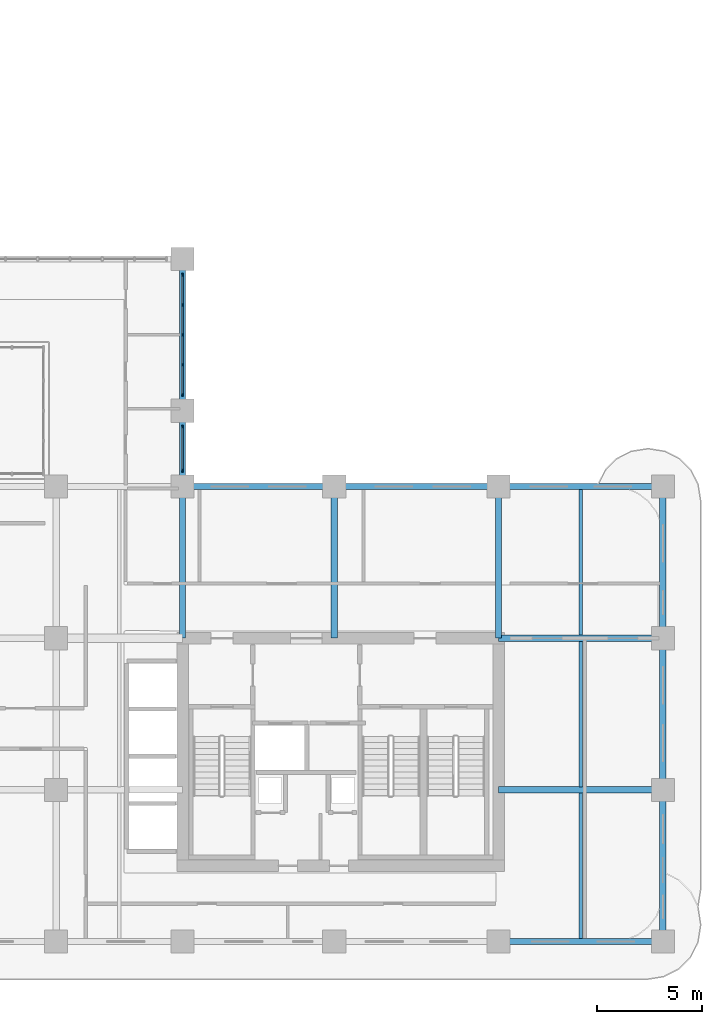
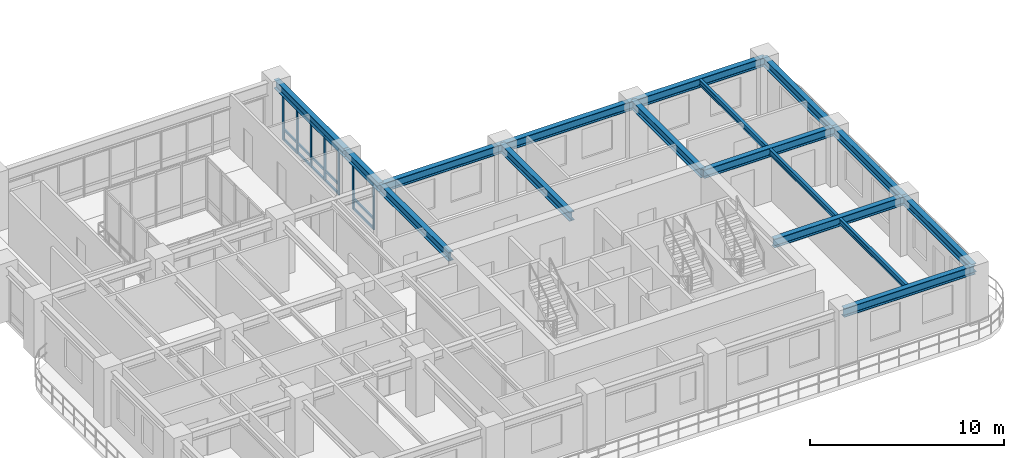
# One storey, part 4 of 19: 22 members, 17 beams, 2 elements without a shape of their own.
"""IFC4 building model written with IfcOpenShell, lengths in metres."""

from ifc_helpers import new_model, si_unit, derived_unit, direction, frame, origin, origin_2d, place, context, subcontext, project, spatial, rectangle, i_section, extrude, source, transform, mapped, material, layer, layer_set, material_profile, profile_set, type_object, type_shapes, element, aggregate, save


model = new_model("IFC4")

# Units and contexts
model_context = context("Model", 3, precision=1e-05, world=origin(), true_north=direction((0.0, 1.0)))
body_context = subcontext(model_context, "Body", "Model", "MODEL_VIEW")
ifc_project = project(units=[si_unit("LENGTHUNIT", "METRE"), si_unit("AREAUNIT", "SQUARE_METRE"), si_unit("VOLUMEUNIT", "CUBIC_METRE"), si_unit("PLANEANGLEUNIT", "RADIAN"), si_unit("MASSUNIT", "GRAM", prefix="KILO"), si_unit("THERMODYNAMICTEMPERATUREUNIT", "KELVIN"), si_unit("POWERUNIT", "WATT"), derived_unit("THERMALTRANSMITTANCEUNIT", [(si_unit("POWERUNIT", "WATT"), 1), (si_unit("AREAUNIT", "SQUARE_METRE"), -1), (si_unit("THERMODYNAMICTEMPERATUREUNIT", "KELVIN"), -1)])], contexts=[model_context])

# Site, building, storey
site_placement = place(None, origin())
site = spatial("IfcSite", under=ifc_project, at=site_placement, CompositionType="ELEMENT")
building_placement = place(site_placement, origin())
building = spatial("IfcBuilding", under=site, at=building_placement, Name="Zahravan Archway Hotel and Residences", CompositionType="ELEMENT")
storey_placement = place(building_placement, frame((0.0, 0.0, 102.699951171875)))
storey = spatial("IfcBuildingStorey", under=building, at=storey_placement, Name="L25", CompositionType="ELEMENT", Elevation=102.699951171875)

# Beams
ifc_material_1 = material(Name="Structural Steel S355JR", Category="steel")
ifc_material_profile_1 = material_profile(ifc_material_1, i_section(OverallWidth=0.300048828125, OverallDepth=0.550048828125, WebThickness=0.014892578125, FlangeThickness=0.029052734375, FilletRadius=0.027099609375, at=origin_2d()), Name="HEB 550", Category="steel")
ifc_profile_set_1 = profile_set([ifc_material_profile_1], Name="Structural Steel S355JR")
beam_type_1 = type_object("IfcBeamType", Name="BM-PRI-HEB550", PredefinedType="BEAM", material=ifc_profile_set_1)
shared_shape_1 = source(origin(), body_context, "Body", "SweptSolid", [
    extrude(i_section(OverallWidth=0.300048828125, OverallDepth=0.550048828125, WebThickness=0.014892578125, FlangeThickness=0.029052734375, FilletRadius=0.027099609375, at=origin_2d()), origin(), (0.0, 0.0, 1.0), 7.2001953125),
])
type_shapes(beam_type_1, [shared_shape_1])
for number, where, z_axis, x_axis, name in (
    (1, (34.800048828125, 14.39990234375, 3.125), (0.0, 1.0, 0.0), (-1.0, 0.0, 0.0), "L25 Primary Girder NS-46"),
    (2, (42.0, 14.39990234375, 3.125), (0.0, 1.0, 0.0), (-1.0, 0.0, 0.0), "L25 Primary Girder NS-49"),
    (3, (49.800048828125, 14.39990234375, 3.125), (0.0, 1.0, 0.0), (-1.0, 0.0, 0.0), "L25 Primary Girder NS-50"),
    (4, (57.60009765625, 14.39990234375, 3.125), (0.0, 1.0, 0.0), (-1.0, 0.0, 0.0), "L25 Primary Girder NS-53"),
):
    element("IfcBeam", number, at=place(storey_placement, frame(where, z_axis=z_axis, x_axis=x_axis)), inside=storey, type_object=beam_type_1, Name=name, PredefinedType="BEAM", context=body_context, shape_type="MappedRepresentation", body=[
        mapped(shared_shape_1, transform((0.0, 0.0, 0.0), scale=1.0)),
    ])
shared_shape_2 = source(origin(), body_context, "Body", "SweptSolid", [
    extrude(i_section(OverallWidth=0.300048828125, OverallDepth=0.550048828125, WebThickness=0.014892578125, FlangeThickness=0.029052734375, FilletRadius=0.027099609375, at=origin_2d()), origin(), (0.0, 0.0, 1.0), 7.199951171875),
])
for number, where, z_axis, x_axis, name in (
    (5, (34.800048828125, 21.60009765625, 3.125), (1.0, 0.0, 0.0), (0.0, 1.0, 0.0), "L25 Primary Girder EW-17"),
    (6, (34.800048828125, 25.199951171875, 3.125), (0.0, 1.0, 0.0), (-1.0, 0.0, 0.0), "L25 Primary Girder NS-48"),
    (7, (57.60009765625, 0.0, 3.125), (0.0, 1.0, 0.0), (-1.0, 0.0, 0.0), "L25 Primary Girder NS-51"),
    (8, (57.60009765625, 7.199951171875, 3.125), (0.0, 1.0, 0.0), (-1.0, 0.0, 0.0), "L25 Primary Girder NS-52"),
):
    element("IfcBeam", number, at=place(storey_placement, frame(where, z_axis=z_axis, x_axis=x_axis)), inside=storey, type_object=beam_type_1, Name=name, PredefinedType="BEAM", context=body_context, shape_type="MappedRepresentation", body=[
        mapped(shared_shape_2, transform((0.0, 0.0, 0.0), scale=1.0)),
    ])
shared_shape_3 = source(origin(), body_context, "Body", "SweptSolid", [
    extrude(i_section(OverallWidth=0.300048828125, OverallDepth=0.550048828125, WebThickness=0.014892578125, FlangeThickness=0.029052734375, FilletRadius=0.027099609375, at=origin_2d()), origin(), (0.0, 0.0, 1.0), 7.800048828125),
])
for number, where, z_axis, x_axis, name in (
    (9, (49.800048828125, 0.0, 3.125), (1.0, 0.0, 0.0), (0.0, 1.0, 0.0), "L25 Primary Girder EW-06"),
    (10, (49.800048828125, 7.199951171875, 3.125), (1.0, 0.0, 0.0), (0.0, 1.0, 0.0), "L25 Primary Girder EW-10"),
    (11, (49.800048828125, 14.39990234375, 3.125), (1.0, 0.0, 0.0), (0.0, 1.0, 0.0), "L25 Primary Girder EW-13"),
    (12, (42.0, 21.60009765625, 3.125), (1.0, 0.0, 0.0), (0.0, 1.0, 0.0), "L25 Primary Girder EW-18"),
    (13, (49.800048828125, 21.60009765625, 3.125), (1.0, 0.0, 0.0), (0.0, 1.0, 0.0), "L25 Primary Girder EW-19"),
):
    element("IfcBeam", number, at=place(storey_placement, frame(where, z_axis=z_axis, x_axis=x_axis)), inside=storey, type_object=beam_type_1, Name=name, PredefinedType="BEAM", context=body_context, shape_type="MappedRepresentation", body=[
        mapped(shared_shape_3, transform((0.0, 0.0, 0.0), scale=1.0)),
    ])
shared_shape_4 = source(origin(), body_context, "Body", "SweptSolid", [
    extrude(i_section(OverallWidth=0.300048828125, OverallDepth=0.550048828125, WebThickness=0.014892578125, FlangeThickness=0.029052734375, FilletRadius=0.027099609375, at=origin_2d()), origin(), (0.0, 0.0, 1.0), 3.599853515625),
])
beam_1_placement = place(storey_placement, frame((34.800048828125, 21.60009765625, 3.125), z_axis=(0.0, 1.0, 0.0), x_axis=(-1.0, 0.0, 0.0)))
element("IfcBeam", 14, at=beam_1_placement, inside=storey, type_object=beam_type_1, Name="L25 Primary Girder NS-47", PredefinedType="BEAM", context=body_context, shape_type="MappedRepresentation", body=[
    mapped(shared_shape_4, transform((0.0, 0.0, 0.0), scale=1.0)),
])
ifc_material_profile_2 = material_profile(ifc_material_1, i_section(OverallWidth=0.169921875, OverallDepth=0.360107421875, WebThickness=0.008056640625, FlangeThickness=0.0126953125, FilletRadius=0.01806640625, at=origin_2d()), Name="IPE 360", Category="steel")
ifc_profile_set_2 = profile_set([ifc_material_profile_2], Name="Structural Steel S355JR")
beam_type_2 = type_object("IfcBeamType", Name="BM-JST-IPE360", PredefinedType="JOIST", material=ifc_profile_set_2)
shared_shape_5 = source(origin(), body_context, "Body", "SweptSolid", [
    extrude(i_section(OverallWidth=0.169921875, OverallDepth=0.360107421875, WebThickness=0.008056640625, FlangeThickness=0.0126953125, FilletRadius=0.01806640625, at=origin_2d()), origin(), (0.0, 0.0, 1.0), 6.904052734375),
])
type_shapes(beam_type_2, [shared_shape_5])
for number, where, z_axis, x_axis, name in (
    (15, (53.699951171875, 0.14794921875, 3.219970703125), (0.0, 1.0, 0.0), (-1.0, 0.0, 0.0), "L25 Composite Floor Joist 04"),
    (16, (53.699951171875, 7.347900390625, 3.219970703125), (0.0, 1.0, 0.0), (-1.0, 0.0, 0.0), "L25 Composite Floor Joist 08"),
):
    element("IfcBeam", number, at=place(storey_placement, frame(where, z_axis=z_axis, x_axis=x_axis)), inside=storey, type_object=beam_type_2, Name=name, PredefinedType="JOIST", context=body_context, shape_type="MappedRepresentation", body=[
        mapped(shared_shape_5, transform((0.0, 0.0, 0.0), scale=1.0)),
    ])
shared_shape_6 = source(origin(), body_context, "Body", "SweptSolid", [
    extrude(i_section(OverallWidth=0.169921875, OverallDepth=0.360107421875, WebThickness=0.008056640625, FlangeThickness=0.0126953125, FilletRadius=0.01806640625, at=origin_2d()), origin(), (0.0, 0.0, 1.0), 6.90380859375),
])
beam_2_placement = place(storey_placement, frame((53.699951171875, 14.548095703125, 3.219970703125), z_axis=(0.0, 1.0, 0.0), x_axis=(-1.0, 0.0, 0.0)))
element("IfcBeam", 17, at=beam_2_placement, inside=storey, type_object=beam_type_2, Name="L25 Composite Floor Joist 12", PredefinedType="JOIST", context=body_context, shape_type="MappedRepresentation", body=[
    mapped(shared_shape_6, transform((0.0, 0.0, 0.0), scale=1.0)),
])

# Curtain wall, members
ifc_material_2 = material(Name="Bronze-Anodized Unitised Aluminium & Low-E Glass", Category="aluminium")
ifc_layer = layer(ifc_material_2, 0.179931640625, Name="Bronze-Anodized Unitised Aluminium & Low-E Glass", Category="aluminium")
ifc_layer_set = layer_set([ifc_layer], Name="Bronze-Anodized Unitised Aluminium & Low-E Glass")
curtain_wall_type = type_object("IfcCurtainWallType", Name="CW-ATR-GLAZ", PredefinedType="NOTDEFINED", material=ifc_layer_set)
curtain_wall_1_placement = place(storey_placement, origin())
curtain_wall_1 = element("IfcCurtainWall", 18, at=curtain_wall_1_placement, inside=storey, type_object=curtain_wall_type, Name="L25 Curtain Wall CW-L25-HNG-E-2", PredefinedType="NOTDEFINED")
ifc_material_3 = material(Name="Bronze-Anodized Extruded Aluminium", Category="aluminium")
ifc_material_profile_3 = material_profile(ifc_material_3, rectangle(XDim=0.080078125, YDim=0.139892578125, at=origin_2d()), Name="TRN 80x140", Category="aluminium")
ifc_profile_set_3 = profile_set([ifc_material_profile_3], Name="Bronze-Anodized Extruded Aluminium")
member_type_1 = type_object("IfcMemberType", Name="CWM-TRN-140", PredefinedType="USERDEFINED", material=ifc_profile_set_3)
shared_shape_7 = source(origin(), body_context, "Body", "SweptSolid", [
    extrude(rectangle(XDim=0.080078125, YDim=0.139892578125, at=origin_2d()), origin(), (0.0, 0.0, 1.0), 1.33984375),
])
member_1_placement = place(storey_placement, frame((34.800048828125, 28.840087890625, 0.070068359375), z_axis=(0.0, 1.0, 0.0), x_axis=(-1.0, 0.0, 0.0)))
member_1 = element("IfcMember", 19, at=member_1_placement, type_object=member_type_1, Name="CW-L25-HNG-E-2 Transom 2-1", ObjectType="TRANSOM", PredefinedType="USERDEFINED", context=body_context, shape_type="MappedRepresentation", body=[
    mapped(shared_shape_7, transform((0.0, 0.0, 0.0), scale=1.0)),
])
member_2_placement = place(storey_placement, frame((34.800048828125, 28.840087890625, 0.680419921875), z_axis=(0.0, 1.0, 0.0), x_axis=(-1.0, 0.0, 0.0)))
member_2 = element("IfcMember", 20, at=member_2_placement, type_object=member_type_1, Name="CW-L25-HNG-E-2 Transom 2-2", ObjectType="TRANSOM", PredefinedType="USERDEFINED", context=body_context, shape_type="MappedRepresentation", body=[
    mapped(shared_shape_7, transform((0.0, 0.0, 0.0), scale=1.0)),
])
member_3_placement = place(storey_placement, frame((34.800048828125, 28.840087890625, 2.76513671875), z_axis=(0.0, 1.0, 0.0), x_axis=(-1.0, 0.0, 0.0)))
member_3 = element("IfcMember", 21, at=member_3_placement, type_object=member_type_1, Name="CW-L25-HNG-E-2 Transom 2-3", ObjectType="TRANSOM", PredefinedType="USERDEFINED", context=body_context, shape_type="MappedRepresentation", body=[
    mapped(shared_shape_7, transform((0.0, 0.0, 0.0), scale=1.0)),
])
shared_shape_8 = source(origin(), body_context, "Body", "SweptSolid", [
    extrude(rectangle(XDim=0.080078125, YDim=0.139892578125, at=origin_2d()), origin(), (0.0, 0.0, 1.0), 1.340087890625),
])
member_4_placement = place(storey_placement, frame((34.800048828125, 26.0, 0.070068359375), z_axis=(0.0, 1.0, 0.0), x_axis=(-1.0, 0.0, 0.0)))
member_4 = element("IfcMember", 22, at=member_4_placement, type_object=member_type_1, Name="CW-L25-HNG-E-2 Transom 0-1", ObjectType="TRANSOM", PredefinedType="USERDEFINED", context=body_context, shape_type="MappedRepresentation", body=[
    mapped(shared_shape_8, transform((0.0, 0.0, 0.0), scale=1.0)),
])
member_5_placement = place(storey_placement, frame((34.800048828125, 26.0, 0.680419921875), z_axis=(0.0, 1.0, 0.0), x_axis=(-1.0, 0.0, 0.0)))
member_5 = element("IfcMember", 23, at=member_5_placement, type_object=member_type_1, Name="CW-L25-HNG-E-2 Transom 0-2", ObjectType="TRANSOM", PredefinedType="USERDEFINED", context=body_context, shape_type="MappedRepresentation", body=[
    mapped(shared_shape_8, transform((0.0, 0.0, 0.0), scale=1.0)),
])
member_6_placement = place(storey_placement, frame((34.800048828125, 26.0, 2.76513671875), z_axis=(0.0, 1.0, 0.0), x_axis=(-1.0, 0.0, 0.0)))
member_6 = element("IfcMember", 24, at=member_6_placement, type_object=member_type_1, Name="CW-L25-HNG-E-2 Transom 0-3", ObjectType="TRANSOM", PredefinedType="USERDEFINED", context=body_context, shape_type="MappedRepresentation", body=[
    mapped(shared_shape_8, transform((0.0, 0.0, 0.0), scale=1.0)),
])
member_7_placement = place(storey_placement, frame((34.800048828125, 27.419921875, 0.070068359375), z_axis=(0.0, 1.0, 0.0), x_axis=(-1.0, 0.0, 0.0)))
member_7 = element("IfcMember", 25, at=member_7_placement, type_object=member_type_1, Name="CW-L25-HNG-E-2 Transom 1-1", ObjectType="TRANSOM", PredefinedType="USERDEFINED", context=body_context, shape_type="MappedRepresentation", body=[
    mapped(shared_shape_8, transform((0.0, 0.0, 0.0), scale=1.0)),
])
member_8_placement = place(storey_placement, frame((34.800048828125, 27.419921875, 0.680419921875), z_axis=(0.0, 1.0, 0.0), x_axis=(-1.0, 0.0, 0.0)))
member_8 = element("IfcMember", 26, at=member_8_placement, type_object=member_type_1, Name="CW-L25-HNG-E-2 Transom 1-2", ObjectType="TRANSOM", PredefinedType="USERDEFINED", context=body_context, shape_type="MappedRepresentation", body=[
    mapped(shared_shape_8, transform((0.0, 0.0, 0.0), scale=1.0)),
])
member_9_placement = place(storey_placement, frame((34.800048828125, 27.419921875, 2.76513671875), z_axis=(0.0, 1.0, 0.0), x_axis=(-1.0, 0.0, 0.0)))
member_9 = element("IfcMember", 27, at=member_9_placement, type_object=member_type_1, Name="CW-L25-HNG-E-2 Transom 1-3", ObjectType="TRANSOM", PredefinedType="USERDEFINED", context=body_context, shape_type="MappedRepresentation", body=[
    mapped(shared_shape_8, transform((0.0, 0.0, 0.0), scale=1.0)),
])
member_10_placement = place(storey_placement, frame((34.800048828125, 30.260009765625, 0.070068359375), z_axis=(0.0, 1.0, 0.0), x_axis=(-1.0, 0.0, 0.0)))
member_10 = element("IfcMember", 28, at=member_10_placement, type_object=member_type_1, Name="CW-L25-HNG-E-2 Transom 3-1", ObjectType="TRANSOM", PredefinedType="USERDEFINED", context=body_context, shape_type="MappedRepresentation", body=[
    mapped(shared_shape_8, transform((0.0, 0.0, 0.0), scale=1.0)),
])
member_11_placement = place(storey_placement, frame((34.800048828125, 30.260009765625, 0.680419921875), z_axis=(0.0, 1.0, 0.0), x_axis=(-1.0, 0.0, 0.0)))
member_11 = element("IfcMember", 29, at=member_11_placement, type_object=member_type_1, Name="CW-L25-HNG-E-2 Transom 3-2", ObjectType="TRANSOM", PredefinedType="USERDEFINED", context=body_context, shape_type="MappedRepresentation", body=[
    mapped(shared_shape_8, transform((0.0, 0.0, 0.0), scale=1.0)),
])
member_12_placement = place(storey_placement, frame((34.800048828125, 30.260009765625, 2.76513671875), z_axis=(0.0, 1.0, 0.0), x_axis=(-1.0, 0.0, 0.0)))
member_12 = element("IfcMember", 30, at=member_12_placement, type_object=member_type_1, Name="CW-L25-HNG-E-2 Transom 3-3", ObjectType="TRANSOM", PredefinedType="USERDEFINED", context=body_context, shape_type="MappedRepresentation", body=[
    mapped(shared_shape_8, transform((0.0, 0.0, 0.0), scale=1.0)),
])

curtain_wall_2_placement = place(storey_placement, origin())
curtain_wall_2 = element("IfcCurtainWall", 31, at=curtain_wall_2_placement, inside=storey, type_object=curtain_wall_type, Name="L25 Curtain Wall CW-L25-HNG-E-1", PredefinedType="NOTDEFINED")
shared_shape_9 = source(origin(), body_context, "Body", "SweptSolid", [
    extrude(rectangle(XDim=0.080078125, YDim=0.139892578125, at=origin_2d()), origin(), (0.0, 0.0, 1.0), 2.0),
])
member_13_placement = place(storey_placement, frame((34.800048828125, 22.39990234375, 0.070068359375), z_axis=(0.0, 1.0, 0.0), x_axis=(-1.0, 0.0, 0.0)))
member_13 = element("IfcMember", 32, at=member_13_placement, type_object=member_type_1, Name="CW-L25-HNG-E-1 Transom 0-1", ObjectType="TRANSOM", PredefinedType="USERDEFINED", context=body_context, shape_type="MappedRepresentation", body=[
    mapped(shared_shape_9, transform((0.0, 0.0, 0.0), scale=1.0)),
])
member_14_placement = place(storey_placement, frame((34.800048828125, 22.39990234375, 0.680419921875), z_axis=(0.0, 1.0, 0.0), x_axis=(-1.0, 0.0, 0.0)))
member_14 = element("IfcMember", 33, at=member_14_placement, type_object=member_type_1, Name="CW-L25-HNG-E-1 Transom 0-2", ObjectType="TRANSOM", PredefinedType="USERDEFINED", context=body_context, shape_type="MappedRepresentation", body=[
    mapped(shared_shape_9, transform((0.0, 0.0, 0.0), scale=1.0)),
])
member_15_placement = place(storey_placement, frame((34.800048828125, 22.39990234375, 2.76513671875), z_axis=(0.0, 1.0, 0.0), x_axis=(-1.0, 0.0, 0.0)))
member_15 = element("IfcMember", 34, at=member_15_placement, type_object=member_type_1, Name="CW-L25-HNG-E-1 Transom 0-3", ObjectType="TRANSOM", PredefinedType="USERDEFINED", context=body_context, shape_type="MappedRepresentation", body=[
    mapped(shared_shape_9, transform((0.0, 0.0, 0.0), scale=1.0)),
])
ifc_material_profile_4 = material_profile(ifc_material_3, rectangle(XDim=0.080078125, YDim=0.159912109375, at=origin_2d()), Name="MUL 80x160", Category="aluminium")
ifc_profile_set_4 = profile_set([ifc_material_profile_4], Name="Bronze-Anodized Extruded Aluminium")
member_type_2 = type_object("IfcMemberType", Name="CWM-MUL-160", PredefinedType="MULLION", material=ifc_profile_set_4)
shared_shape_10 = source(origin(), body_context, "Body", "SweptSolid", [
    extrude(rectangle(XDim=0.080078125, YDim=0.159912109375, at=origin_2d()), origin(), (0.0, 0.0, 1.0), 2.8349609375),
])
member_16_placement = place(storey_placement, frame((34.800048828125, 22.360107421875, 0.0), z_axis=(0.0, 0.0, 1.0), x_axis=(1.0, 0.0, 0.0)))
member_16 = element("IfcMember", 35, at=member_16_placement, type_object=member_type_2, Name="CW-L25-HNG-E-1 Mullion 0", PredefinedType="MULLION", context=body_context, shape_type="MappedRepresentation", body=[
    mapped(shared_shape_10, transform((0.0, 0.0, 0.0), scale=1.0)),
])
member_17_placement = place(storey_placement, frame((34.800048828125, 24.43994140625, 0.0), z_axis=(0.0, 0.0, 1.0), x_axis=(1.0, 0.0, 0.0)))
member_17 = element("IfcMember", 36, at=member_17_placement, type_object=member_type_2, Name="CW-L25-HNG-E-1 Mullion 1", PredefinedType="MULLION", context=body_context, shape_type="MappedRepresentation", body=[
    mapped(shared_shape_10, transform((0.0, 0.0, 0.0), scale=1.0)),
])
aggregate(curtain_wall_2, [member_16, member_17, member_13, member_14, member_15])

# Member
member_18_placement = place(storey_placement, frame((34.800048828125, 25.9599609375, 0.0), z_axis=(0.0, 0.0, 1.0), x_axis=(1.0, 0.0, 0.0)))
member_18 = element("IfcMember", 37, at=member_18_placement, type_object=member_type_2, Name="CW-L25-HNG-E-2 Mullion 0", PredefinedType="MULLION", context=body_context, shape_type="MappedRepresentation", body=[
    mapped(shared_shape_10, transform((0.0, 0.0, 0.0), scale=1.0)),
])

member_19_placement = place(storey_placement, frame((34.800048828125, 27.3798828125, 0.0), z_axis=(0.0, 0.0, 1.0), x_axis=(1.0, 0.0, 0.0)))
member_19 = element("IfcMember", 38, at=member_19_placement, type_object=member_type_2, Name="CW-L25-HNG-E-2 Mullion 1", PredefinedType="MULLION", context=body_context, shape_type="MappedRepresentation", body=[
    mapped(shared_shape_10, transform((0.0, 0.0, 0.0), scale=1.0)),
])

member_20_placement = place(storey_placement, frame((34.800048828125, 28.800048828125, 0.0), z_axis=(0.0, 0.0, 1.0), x_axis=(1.0, 0.0, 0.0)))
member_20 = element("IfcMember", 39, at=member_20_placement, type_object=member_type_2, Name="CW-L25-HNG-E-2 Mullion 2", PredefinedType="MULLION", context=body_context, shape_type="MappedRepresentation", body=[
    mapped(shared_shape_10, transform((0.0, 0.0, 0.0), scale=1.0)),
])

member_21_placement = place(storey_placement, frame((34.800048828125, 30.219970703125, 0.0), z_axis=(0.0, 0.0, 1.0), x_axis=(1.0, 0.0, 0.0)))
member_21 = element("IfcMember", 40, at=member_21_placement, type_object=member_type_2, Name="CW-L25-HNG-E-2 Mullion 3", PredefinedType="MULLION", context=body_context, shape_type="MappedRepresentation", body=[
    mapped(shared_shape_10, transform((0.0, 0.0, 0.0), scale=1.0)),
])

member_22_placement = place(storey_placement, frame((34.800048828125, 31.639892578125, 0.0), z_axis=(0.0, 0.0, 1.0), x_axis=(1.0, 0.0, 0.0)))
member_22 = element("IfcMember", 41, at=member_22_placement, type_object=member_type_2, Name="CW-L25-HNG-E-2 Mullion 4", PredefinedType="MULLION", context=body_context, shape_type="MappedRepresentation", body=[
    mapped(shared_shape_10, transform((0.0, 0.0, 0.0), scale=1.0)),
])

aggregate(curtain_wall_1, [member_18, member_19, member_20, member_21, member_22, member_4, member_5, member_6, member_7, member_8, member_9, member_1, member_2, member_3, member_10, member_11, member_12])

save(model, "model.ifc")
